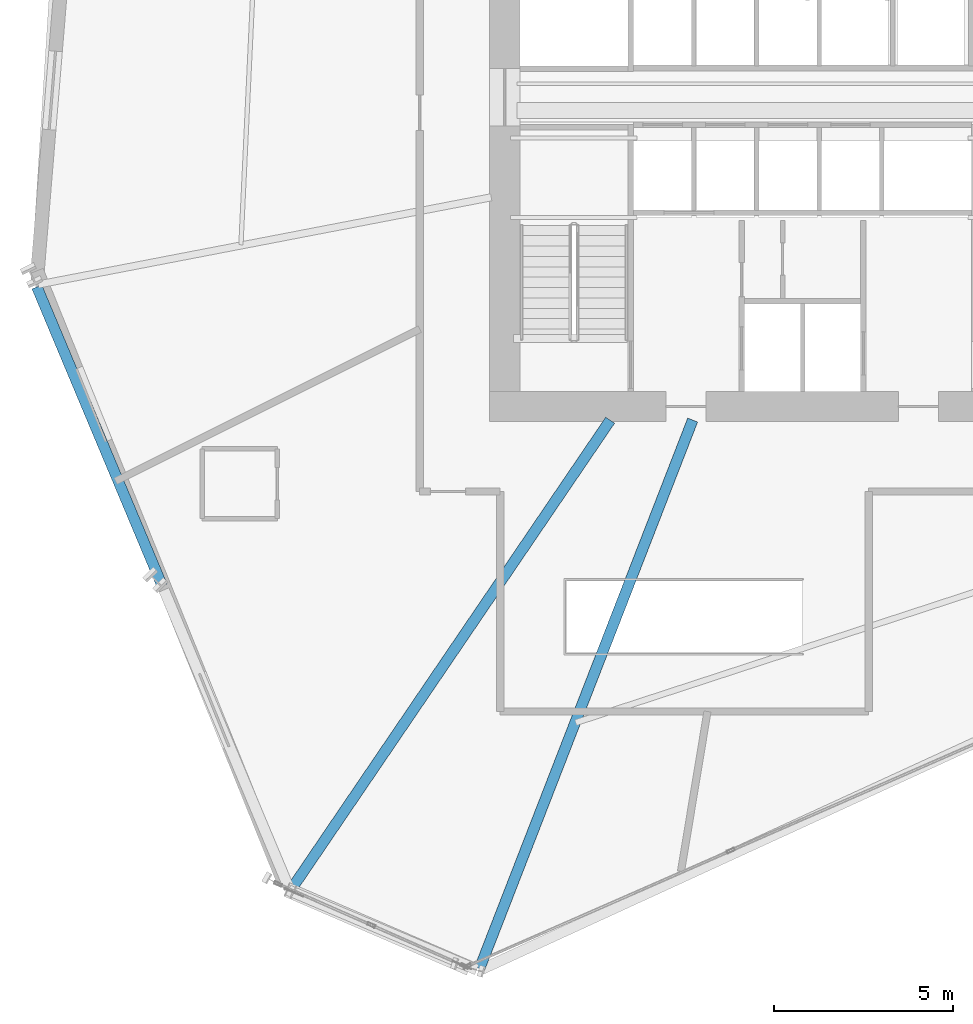
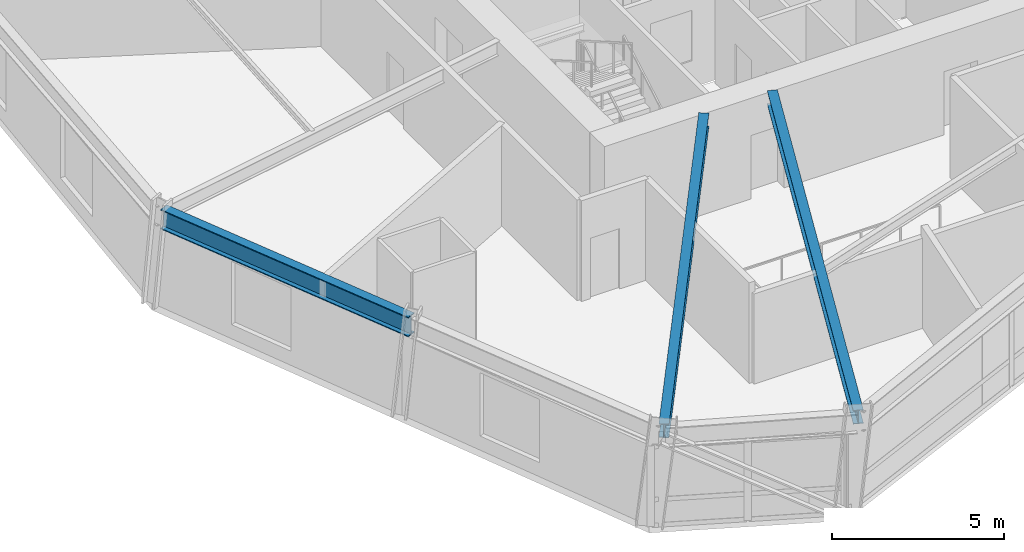
# One storey, part 3 of 17: 3 beams.
"""IFC4 building model written with IfcOpenShell, lengths in metres."""

from ifc_helpers import new_model, si_unit, direction, frame, origin, origin_2d, place, context, subcontext, project, spatial, i_section, extrude, source, transform, mapped, material, material_profile, profile_set, type_object, element, save


model = new_model("IFC4")

# Units and contexts
model_context = context("Model", 3, precision=1e-05, world=origin(), true_north=direction((0.0, 1.0)))
body_context = subcontext(model_context, "Body", "Model", "MODEL_VIEW")
ifc_project = project(units=[si_unit("LENGTHUNIT", "METRE"), si_unit("AREAUNIT", "SQUARE_METRE"), si_unit("VOLUMEUNIT", "CUBIC_METRE"), si_unit("PLANEANGLEUNIT", "RADIAN"), si_unit("MASSUNIT", "GRAM", prefix="KILO")], contexts=[model_context])

# Site, building, storey
site_placement = place(None, origin())
site = spatial("IfcSite", under=ifc_project, at=site_placement, CompositionType="ELEMENT")
building_placement = place(site_placement, origin())
building = spatial("IfcBuilding", under=site, at=building_placement, Name="Olszyna Solenne Hotel", CompositionType="ELEMENT")
storey_placement = place(building_placement, frame((0.0, 0.0, 75.89990234375)))
storey = spatial("IfcBuildingStorey", under=building, at=storey_placement, Name="L19", CompositionType="ELEMENT", Elevation=75.89990234375)

# Beams
ifc_material = material(Name="Steel S355J2", Category="steel")
ifc_material_profile_1 = material_profile(ifc_material, i_section(OverallWidth=0.300048828125, OverallDepth=0.699951171875, WebThickness=0.01708984375, FlangeThickness=0.031982421875, at=origin_2d()), Name="HEB 700", Category="load-bearing")
ifc_profile_set_1 = profile_set([ifc_material_profile_1], Name="Steel S355J2")
beam_type_1 = type_object("IfcBeamType", Name="BM-S1", PredefinedType="BEAM", material=ifc_profile_set_1)
shared_shape_1 = source(origin(), body_context, "Body", "SweptSolid", [
    extrude(i_section(OverallWidth=0.300048828125, OverallDepth=0.699951171875, WebThickness=0.01708984375, FlangeThickness=0.031982421875, at=origin_2d()), origin(), (0.0, 0.0, 1.0), 9.06494140625),
])
beam_1_placement = place(storey_placement, frame((16.597412109375, 22.418701171875, 3.22998046875), z_axis=(0.386723720824, -0.922195621195, 0.0), x_axis=(0.922195621195, 0.386723720824, 0.0)))
element("IfcBeam", 1, at=beam_1_placement, inside=storey, type_object=beam_type_1, Name="Perimeter spandrel beam BM-S1 B-L19-0582", PredefinedType="BEAM", context=body_context, shape_type="MappedRepresentation", body=[
    mapped(shared_shape_1, transform((0.0, 0.0, 0.0), x_axis=(1.0, 0.0, 0.0), y_axis=(0.0, 1.0, 0.0), z_axis=(0.0, 0.0, 1.0), scale=1.0)),
])
ifc_material_profile_2 = material_profile(ifc_material, i_section(OverallWidth=0.300048828125, OverallDepth=0.489990234375, WebThickness=0.011962890625, FlangeThickness=0.02294921875, at=origin_2d()), Name="HEA 500", Category="load-bearing")
ifc_profile_set_2 = profile_set([ifc_material_profile_2], Name="Steel S355J2")
beam_type_2 = type_object("IfcBeamType", Name="BM-G1", PredefinedType="BEAM", material=ifc_profile_set_2)
shared_shape_2 = source(origin(), body_context, "Body", "SweptSolid", [
    extrude(i_section(OverallWidth=0.300048828125, OverallDepth=0.489990234375, WebThickness=0.011962890625, FlangeThickness=0.02294921875, at=origin_2d()), origin(), (0.0, 0.0, 1.0), 15.8505859375),
])
beam_2_placement = place(storey_placement, frame((23.711669921875, 5.583251953125, 3.335205078125), z_axis=(0.56222702297, 0.826982934916, 0.0), x_axis=(-0.826982934916, 0.56222702297, 0.0)))
element("IfcBeam", 2, at=beam_2_placement, inside=storey, type_object=beam_type_2, Name="Radial floor girder BM-G1 B-L19-0594", PredefinedType="BEAM", context=body_context, shape_type="MappedRepresentation", body=[
    mapped(shared_shape_2, transform((0.0, 0.0, 0.0), x_axis=(1.0, 0.0, 0.0), y_axis=(0.0, 1.0, 0.0), z_axis=(0.0, 0.0, 1.0), scale=1.0)),
])
shared_shape_3 = source(origin(), body_context, "Body", "SweptSolid", [
    extrude(i_section(OverallWidth=0.300048828125, OverallDepth=0.489990234375, WebThickness=0.011962890625, FlangeThickness=0.02294921875, at=origin_2d()), origin(), (0.0, 0.0, 1.0), 16.450439453125),
])
beam_3_placement = place(storey_placement, frame((28.9716796875, 3.36279296875, 3.335205078125), z_axis=(0.362150457089, 0.932119652421, 0.0), x_axis=(-0.932119652421, 0.362150457089, 0.0)))
element("IfcBeam", 3, at=beam_3_placement, inside=storey, type_object=beam_type_2, Name="Radial floor girder BM-G1 B-L19-0595", PredefinedType="BEAM", context=body_context, shape_type="MappedRepresentation", body=[
    mapped(shared_shape_3, transform((0.0, 0.0, 0.0), x_axis=(1.0, 0.0, 0.0), y_axis=(0.0, 1.0, 0.0), z_axis=(0.0, 0.0, 1.0), scale=1.0)),
])

save(model, "model.ifc")
